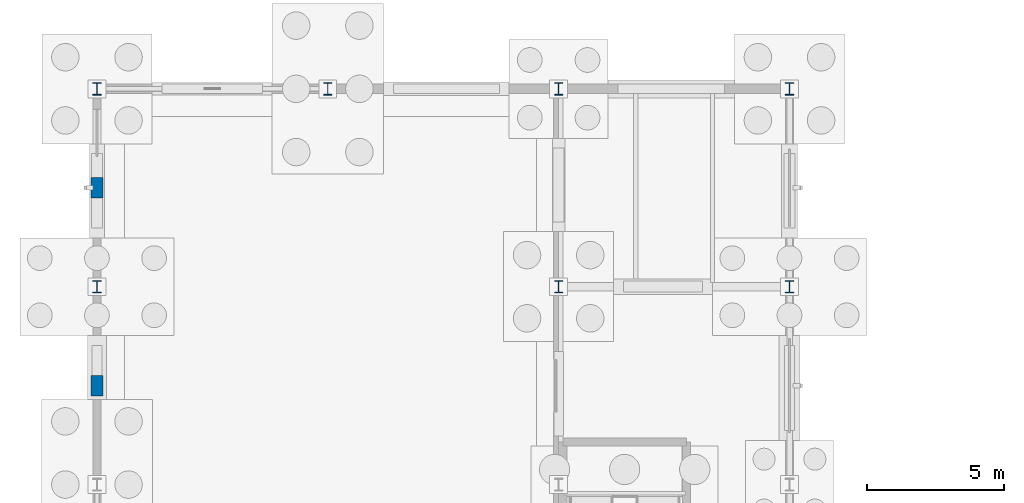
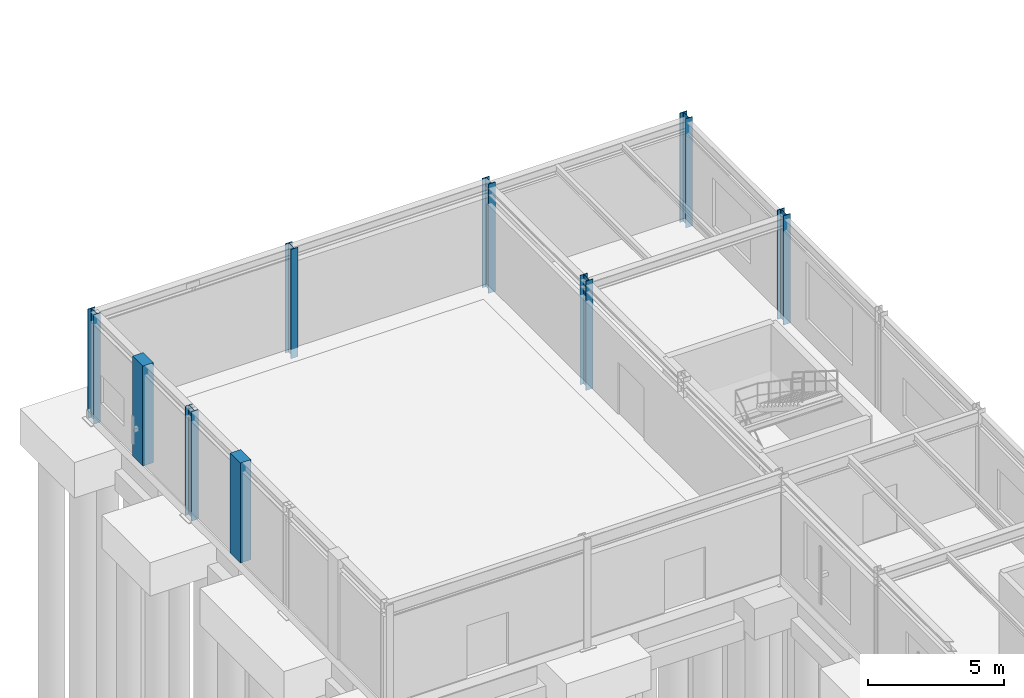
# One storey, part 22 of 93: 9 columns.
"""IFC4 building model written with IfcOpenShell, lengths in metres."""

from ifc_helpers import new_model, si_unit, derived_unit, direction, frame, origin, origin_2d, place, context, subcontext, project, spatial, rectangle, i_section, extrude, material, material_profile, profile_set, type_object, element, save


model = new_model("IFC4")

# Units and contexts
model_context = context("Model", 3, precision=1e-05, world=origin(), true_north=direction((0.0, 1.0)))
body_context = subcontext(model_context, "Body", "Model", "MODEL_VIEW")
ifc_project = project(units=[si_unit("LENGTHUNIT", "METRE"), si_unit("AREAUNIT", "SQUARE_METRE"), si_unit("VOLUMEUNIT", "CUBIC_METRE"), si_unit("PLANEANGLEUNIT", "RADIAN"), si_unit("MASSUNIT", "GRAM", prefix="KILO"), derived_unit("THERMALTRANSMITTANCEUNIT", [(si_unit("MASSUNIT", "GRAM", prefix="KILO"), 1), (si_unit("TIMEUNIT", "SECOND"), -3), (si_unit("THERMODYNAMICTEMPERATUREUNIT", "KELVIN"), -1)])], contexts=[model_context])

# Site, building, storey
site_placement = place(None, origin())
site = spatial("IfcSite", under=ifc_project, at=site_placement, CompositionType="ELEMENT")
building_placement = place(site_placement, origin())
building = spatial("IfcBuilding", under=site, at=building_placement, Name="Kharveza Railside Sports Centre", CompositionType="ELEMENT")
storey_placement = place(building_placement, origin())
storey = spatial("IfcBuildingStorey", under=building, at=storey_placement, Name="L00", CompositionType="ELEMENT", Elevation=0.0)

# Columns
ifc_material_1 = material(Name="Concrete C35/45", Category="concrete")
ifc_material_profile_1 = material_profile(ifc_material_1, rectangle(XDim=0.449951171875, YDim=0.75, at=origin_2d()), Name="RC 450x750")
ifc_profile_set_1 = profile_set([ifc_material_profile_1], Name="Concrete C35/45")
column_type_1 = type_object("IfcColumnType", Name="COL-RC11", PredefinedType="PILASTER", material=ifc_profile_set_1)
for number, where, z_axis, x_axis, name in (
    (1, (0.0, 97.199951171875, 0.0), (0.0, 0.0, 1.0), (1.0, 0.0, 0.0), "COL-PIL-CLW-02"),
    (2, (0.0, 104.39990234375, 0.0), (0.0, 0.0, 1.0), (1.0, 0.0, 0.0), "COL-PIL-CLW-03"),
):
    element("IfcColumn", number, at=place(storey_placement, frame(where, z_axis=z_axis, x_axis=x_axis)), inside=storey, type_object=column_type_1, Name=name, PredefinedType="PILASTER", context=body_context, shape_type="SweptSolid", body=[
        extrude(rectangle(XDim=0.449951171875, YDim=0.75, at=origin_2d()), origin(), (0.0, 0.0, 1.0), 4.5),
    ])
ifc_material_2 = material(Name="Steel S355J2", Category="steel")
ifc_material_profile_2 = material_profile(ifc_material_2, i_section(OverallWidth=0.300048828125, OverallDepth=0.449951171875, WebThickness=0.013916015625, FlangeThickness=0.02587890625, FilletRadius=0.027099609375, at=origin_2d()), Name="HEB 450")
ifc_profile_set_2 = profile_set([ifc_material_profile_2], Name="Steel S355J2")
column_type_2 = type_object("IfcColumnType", Name="COL-S04", PredefinedType="COLUMN", material=ifc_profile_set_2)
for number, where, z_axis, x_axis, name in (
    (3, (0.0, 100.800048828125, -0.419921875), (0.0, 0.0, 1.0), (1.0, 0.0, 0.0), "COL-G-C04-X0-Y1008-L00"),
    (4, (0.0, 108.0, -0.419921875), (0.0, 0.0, 1.0), (1.0, 0.0, 0.0), "COL-G-C04-X0-Y1080-L00"),
    (5, (8.39990234375, 108.0, -0.419921875), (0.0, 0.0, 1.0), (1.0, 0.0, 0.0), "COL-G-C04-X84-Y1080-L00"),
    (6, (16.800048828125, 100.800048828125, -0.419921875), (0.0, 0.0, 1.0), (1.0, 0.0, 0.0), "COL-G-C04-X168-Y1008-L00"),
    (7, (16.800048828125, 108.0, -0.419921875), (0.0, 0.0, 1.0), (1.0, 0.0, 0.0), "COL-G-C04-X168-Y1080-L00"),
    (8, (25.199951171875, 100.800048828125, -0.419921875), (0.0, 0.0, 1.0), (1.0, 0.0, 0.0), "COL-G-C04-X252-Y1008-L00"),
    (9, (25.199951171875, 108.0, -0.419921875), (0.0, 0.0, 1.0), (1.0, 0.0, 0.0), "COL-G-C04-X252-Y1080-L00"),
):
    element("IfcColumn", number, at=place(storey_placement, frame(where, z_axis=z_axis, x_axis=x_axis)), inside=storey, type_object=column_type_2, Name=name, PredefinedType="COLUMN", context=body_context, shape_type="SweptSolid", body=[
        extrude(i_section(OverallWidth=0.300048828125, OverallDepth=0.449951171875, WebThickness=0.013916015625, FlangeThickness=0.02587890625, FilletRadius=0.027099609375, at=origin_2d()), origin(), (0.0, 0.0, 1.0), 4.919921875),
    ])

save(model, "model.ifc")
